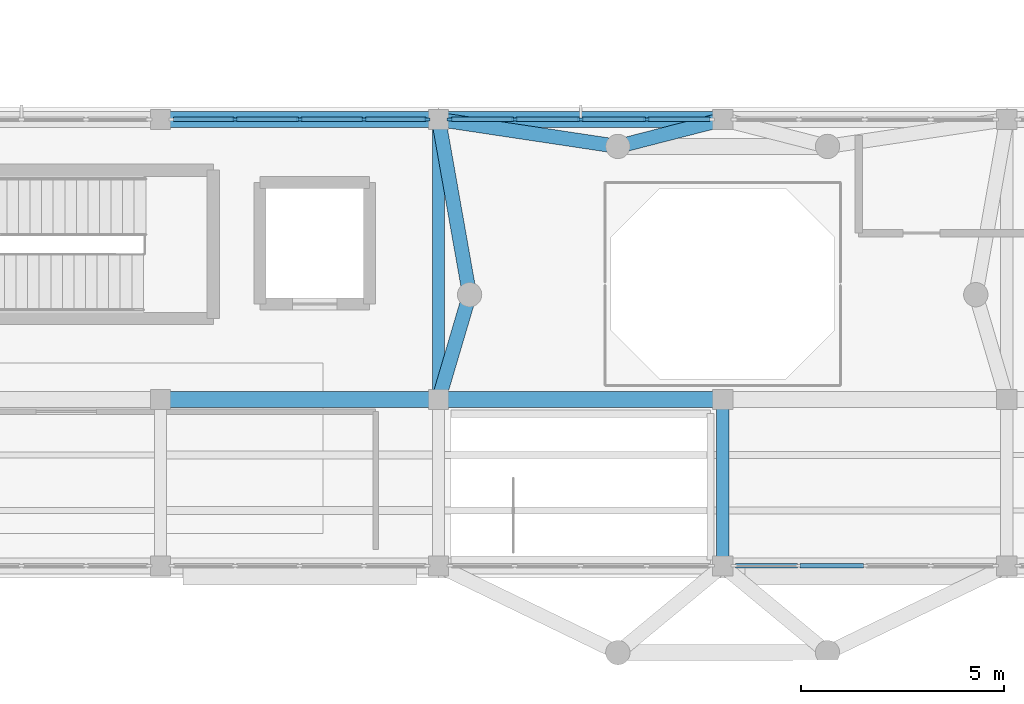
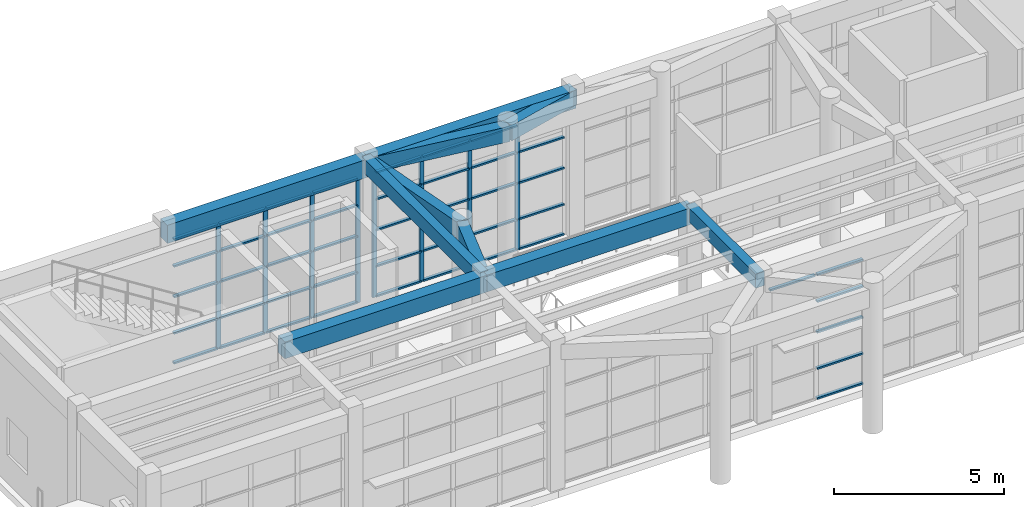
# One storey, part 17 of 103: 53 members, 10 beams, 3 elements without a shape of their own.
"""IFC4 building model written with IfcOpenShell, lengths in metres."""

from ifc_helpers import new_model, si_unit, direction, frame, origin, origin_2d, place, context, subcontext, project, spatial, rectangle, extrude, material, layer, layer_set, material_profile, profile_set, type_object, element, aggregate, save


model = new_model("IFC4")

# Units and contexts
model_context = context("Model", 3, precision=1e-05, world=origin(), true_north=direction((0.0, 1.0)))
body_context = subcontext(model_context, "Body", "Model", "MODEL_VIEW")
ifc_project = project(units=[si_unit("LENGTHUNIT", "METRE"), si_unit("AREAUNIT", "SQUARE_METRE"), si_unit("VOLUMEUNIT", "CUBIC_METRE"), si_unit("PLANEANGLEUNIT", "RADIAN"), si_unit("MASSUNIT", "GRAM", prefix="KILO")], contexts=[model_context])

# Site, building, storey
site_placement = place(None, origin())
site = spatial("IfcSite", under=ifc_project, at=site_placement, CompositionType="ELEMENT")
building_placement = place(site_placement, origin())
building = spatial("IfcBuilding", under=site, at=building_placement, Name="Candilejo Ridge Gondola Terminal", CompositionType="ELEMENT")
storey_placement = place(building_placement, frame((0.0, 0.0, 9.0)))
storey = spatial("IfcBuildingStorey", under=building, at=storey_placement, Name="L02", CompositionType="ELEMENT", Elevation=9.0)

# Curtain wall, members
ifc_material_1 = material(Name="Anodised aluminium AA 6063-T6", Category="aluminium")
ifc_layer_1 = layer(ifc_material_1, 0.169921875)
ifc_layer_set_1 = layer_set([ifc_layer_1], Name="ARC-CW-DRUM-3400-635X449")
curtain_wall_type_1 = type_object("IfcCurtainWallType", Name="ARC-CW-DRUM-3400-635X449", PredefinedType="NOTDEFINED", material=ifc_layer_set_1)
curtain_wall_1_placement = place(storey_placement, origin())
curtain_wall_1 = element("IfcCurtainWall", 1, at=curtain_wall_1_placement, inside=storey, type_object=curtain_wall_type_1, Name="Curtain wall V2 L02-048", PredefinedType="NOTDEFINED")
ifc_material_2 = material(Name="Anodised aluminium AA 6063-T6", Category="aluminium")
ifc_material_profile_1 = material_profile(ifc_material_2, rectangle(XDim=0.06494140625, YDim=0.14990234375, at=origin_2d()))
ifc_profile_set_1 = profile_set([ifc_material_profile_1], Name="Anodised aluminium AA 6063-T6")
member_type_1 = type_object("IfcMemberType", Name="ARC-CW-MULLION-150", PredefinedType="MULLION", material=ifc_profile_set_1)
member_1_placement = place(storey_placement, frame((53.33740234375, 36.699951171875, 0.0), z_axis=(0.0, 0.0, 1.0), x_axis=(0.0, 1.0, 0.0)))
member_1 = element("IfcMember", 2, at=member_1_placement, type_object=member_type_1, Name="CW-63X44 mullion 2", PredefinedType="MULLION", context=body_context, shape_type="SweptSolid", body=[
    extrude(rectangle(XDim=0.06494140625, YDim=0.14990234375, at=origin_2d()), origin(), (0.0, 0.0, 1.0), 4.489990234375),
])
member_2_placement = place(storey_placement, frame((54.925048828125, 36.699951171875, 0.0), z_axis=(0.0, 0.0, 1.0), x_axis=(0.0, 1.0, 0.0)))
member_2 = element("IfcMember", 3, at=member_2_placement, type_object=member_type_1, Name="CW-63X44 mullion 3", PredefinedType="MULLION", context=body_context, shape_type="SweptSolid", body=[
    extrude(rectangle(XDim=0.06494140625, YDim=0.14990234375, at=origin_2d()), origin(), (0.0, 0.0, 1.0), 4.489990234375),
])
member_3_placement = place(storey_placement, frame((56.512451171875, 36.699951171875, 0.0), z_axis=(0.0, 0.0, 1.0), x_axis=(0.0, 1.0, 0.0)))
member_3 = element("IfcMember", 4, at=member_3_placement, type_object=member_type_1, Name="CW-63X44 mullion 4", PredefinedType="MULLION", context=body_context, shape_type="SweptSolid", body=[
    extrude(rectangle(XDim=0.06494140625, YDim=0.14990234375, at=origin_2d()), origin(), (0.0, 0.0, 1.0), 4.489990234375),
])
member_4_placement = place(storey_placement, frame((58.0673828125, 36.699951171875, 0.0), z_axis=(0.0, 0.0, 1.0), x_axis=(0.0, 1.0, 0.0)))
member_4 = element("IfcMember", 5, at=member_4_placement, type_object=member_type_1, Name="CW-63X44 mullion 5", PredefinedType="MULLION", context=body_context, shape_type="SweptSolid", body=[
    extrude(rectangle(XDim=0.06494140625, YDim=0.14990234375, at=origin_2d()), origin(), (0.0, 0.0, 1.0), 4.489990234375),
])

ifc_material_3 = material(Name="Anodised aluminium AA 6063-T6", Category="aluminium")
ifc_layer_2 = layer(ifc_material_3, 0.169921875)
ifc_layer_set_2 = layer_set([ifc_layer_2], Name="ARC-CW-DRUM-3400-650X449")
curtain_wall_type_2 = type_object("IfcCurtainWallType", Name="ARC-CW-DRUM-3400-650X449", PredefinedType="NOTDEFINED", material=ifc_layer_set_2)
curtain_wall_2_placement = place(storey_placement, origin())
curtain_wall_2 = element("IfcCurtainWall", 6, at=curtain_wall_2_placement, inside=storey, type_object=curtain_wall_type_2, Name="Curtain wall V2 L02-050", PredefinedType="NOTDEFINED")
member_5_placement = place(storey_placement, frame((58.632568359375, 36.699951171875, 0.0), z_axis=(0.0, 0.0, 1.0), x_axis=(0.0, 1.0, 0.0)))
member_5 = element("IfcMember", 7, at=member_5_placement, type_object=member_type_1, Name="CW-65X44 mullion 1", PredefinedType="MULLION", context=body_context, shape_type="SweptSolid", body=[
    extrude(rectangle(XDim=0.06494140625, YDim=0.14990234375, at=origin_2d()), origin(), (0.0, 0.0, 1.0), 4.489990234375),
])
member_6_placement = place(storey_placement, frame((60.22509765625, 36.699951171875, 0.0), z_axis=(0.0, 0.0, 1.0), x_axis=(0.0, 1.0, 0.0)))
member_6 = element("IfcMember", 8, at=member_6_placement, type_object=member_type_1, Name="CW-65X44 mullion 2", PredefinedType="MULLION", context=body_context, shape_type="SweptSolid", body=[
    extrude(rectangle(XDim=0.06494140625, YDim=0.14990234375, at=origin_2d()), origin(), (0.0, 0.0, 1.0), 4.489990234375),
])
member_7_placement = place(storey_placement, frame((61.85009765625, 36.699951171875, 0.0), z_axis=(0.0, 0.0, 1.0), x_axis=(0.0, 1.0, 0.0)))
member_7 = element("IfcMember", 9, at=member_7_placement, type_object=member_type_1, Name="CW-65X44 mullion 3", PredefinedType="MULLION", context=body_context, shape_type="SweptSolid", body=[
    extrude(rectangle(XDim=0.06494140625, YDim=0.14990234375, at=origin_2d()), origin(), (0.0, 0.0, 1.0), 4.489990234375),
])
member_8_placement = place(storey_placement, frame((63.47509765625, 36.699951171875, 0.0), z_axis=(0.0, 0.0, 1.0), x_axis=(0.0, 1.0, 0.0)))
member_8 = element("IfcMember", 10, at=member_8_placement, type_object=member_type_1, Name="CW-65X44 mullion 4", PredefinedType="MULLION", context=body_context, shape_type="SweptSolid", body=[
    extrude(rectangle(XDim=0.06494140625, YDim=0.14990234375, at=origin_2d()), origin(), (0.0, 0.0, 1.0), 4.489990234375),
])

# Member
ifc_material_4 = material(Name="Anodised aluminium AA 6063-T6", Category="aluminium")
ifc_material_profile_2 = material_profile(ifc_material_4, rectangle(XDim=0.110107421875, YDim=0.06005859375, at=origin_2d()))
ifc_profile_set_2 = profile_set([ifc_material_profile_2], Name="Anodised aluminium AA 6063-T6")
member_type_2 = type_object("IfcMemberType", Name="ARC-CW-TRANSOM-110", PredefinedType="USERDEFINED", material=ifc_profile_set_2)
member_9_placement = place(storey_placement, frame((51.81494140625, 36.699951171875, 0.030029296875), z_axis=(1.0, 0.0, 0.0), x_axis=(0.0, 1.0, 0.0)))
member_9 = element("IfcMember", 11, at=member_9_placement, type_object=member_type_2, Name="CW-63X44 transom 1.1", ObjectType="TRANSOM", PredefinedType="USERDEFINED", context=body_context, shape_type="SweptSolid", body=[
    extrude(rectangle(XDim=0.110107421875, YDim=0.06005859375, at=origin_2d()), origin(), (0.0, 0.0, 1.0), 1.489990234375),
])

member_10_placement = place(storey_placement, frame((51.81494140625, 36.699951171875, 1.10009765625), z_axis=(1.0, 0.0, 0.0), x_axis=(0.0, 1.0, 0.0)))
member_10 = element("IfcMember", 12, at=member_10_placement, type_object=member_type_2, Name="CW-63X44 transom 1.2", ObjectType="TRANSOM", PredefinedType="USERDEFINED", context=body_context, shape_type="SweptSolid", body=[
    extrude(rectangle(XDim=0.110107421875, YDim=0.06005859375, at=origin_2d()), origin(), (0.0, 0.0, 1.0), 1.489990234375),
])

member_11_placement = place(storey_placement, frame((51.81494140625, 36.699951171875, 2.39990234375), z_axis=(1.0, 0.0, 0.0), x_axis=(0.0, 1.0, 0.0)))
member_11 = element("IfcMember", 13, at=member_11_placement, type_object=member_type_2, Name="CW-63X44 transom 1.3", ObjectType="TRANSOM", PredefinedType="USERDEFINED", context=body_context, shape_type="SweptSolid", body=[
    extrude(rectangle(XDim=0.110107421875, YDim=0.06005859375, at=origin_2d()), origin(), (0.0, 0.0, 1.0), 1.489990234375),
])

member_12_placement = place(storey_placement, frame((51.81494140625, 36.699951171875, 3.5), z_axis=(1.0, 0.0, 0.0), x_axis=(0.0, 1.0, 0.0)))
member_12 = element("IfcMember", 14, at=member_12_placement, type_object=member_type_2, Name="CW-63X44 transom 1.4", ObjectType="TRANSOM", PredefinedType="USERDEFINED", context=body_context, shape_type="SweptSolid", body=[
    extrude(rectangle(XDim=0.110107421875, YDim=0.06005859375, at=origin_2d()), origin(), (0.0, 0.0, 1.0), 1.489990234375),
])

member_13_placement = place(storey_placement, frame((51.81494140625, 36.699951171875, 4.4599609375), z_axis=(1.0, 0.0, 0.0), x_axis=(0.0, 1.0, 0.0)))
member_13 = element("IfcMember", 15, at=member_13_placement, type_object=member_type_2, Name="CW-63X44 transom 1.5", ObjectType="TRANSOM", PredefinedType="USERDEFINED", context=body_context, shape_type="SweptSolid", body=[
    extrude(rectangle(XDim=0.110107421875, YDim=0.06005859375, at=origin_2d()), origin(), (0.0, 0.0, 1.0), 1.489990234375),
])

member_14_placement = place(storey_placement, frame((53.3701171875, 36.699951171875, 0.030029296875), z_axis=(1.0, 0.0, 0.0), x_axis=(0.0, 1.0, 0.0)))
member_14 = element("IfcMember", 16, at=member_14_placement, type_object=member_type_2, Name="CW-63X44 transom 2.1", ObjectType="TRANSOM", PredefinedType="USERDEFINED", context=body_context, shape_type="SweptSolid", body=[
    extrude(rectangle(XDim=0.110107421875, YDim=0.06005859375, at=origin_2d()), origin(), (0.0, 0.0, 1.0), 1.5224609375),
])

member_15_placement = place(storey_placement, frame((53.3701171875, 36.699951171875, 1.10009765625), z_axis=(1.0, 0.0, 0.0), x_axis=(0.0, 1.0, 0.0)))
member_15 = element("IfcMember", 17, at=member_15_placement, type_object=member_type_2, Name="CW-63X44 transom 2.2", ObjectType="TRANSOM", PredefinedType="USERDEFINED", context=body_context, shape_type="SweptSolid", body=[
    extrude(rectangle(XDim=0.110107421875, YDim=0.06005859375, at=origin_2d()), origin(), (0.0, 0.0, 1.0), 1.5224609375),
])

member_16_placement = place(storey_placement, frame((53.3701171875, 36.699951171875, 2.39990234375), z_axis=(1.0, 0.0, 0.0), x_axis=(0.0, 1.0, 0.0)))
member_16 = element("IfcMember", 18, at=member_16_placement, type_object=member_type_2, Name="CW-63X44 transom 2.3", ObjectType="TRANSOM", PredefinedType="USERDEFINED", context=body_context, shape_type="SweptSolid", body=[
    extrude(rectangle(XDim=0.110107421875, YDim=0.06005859375, at=origin_2d()), origin(), (0.0, 0.0, 1.0), 1.5224609375),
])

member_17_placement = place(storey_placement, frame((53.3701171875, 36.699951171875, 3.5), z_axis=(1.0, 0.0, 0.0), x_axis=(0.0, 1.0, 0.0)))
member_17 = element("IfcMember", 19, at=member_17_placement, type_object=member_type_2, Name="CW-63X44 transom 2.4", ObjectType="TRANSOM", PredefinedType="USERDEFINED", context=body_context, shape_type="SweptSolid", body=[
    extrude(rectangle(XDim=0.110107421875, YDim=0.06005859375, at=origin_2d()), origin(), (0.0, 0.0, 1.0), 1.5224609375),
])

member_18_placement = place(storey_placement, frame((53.3701171875, 36.699951171875, 4.4599609375), z_axis=(1.0, 0.0, 0.0), x_axis=(0.0, 1.0, 0.0)))
member_18 = element("IfcMember", 20, at=member_18_placement, type_object=member_type_2, Name="CW-63X44 transom 2.5", ObjectType="TRANSOM", PredefinedType="USERDEFINED", context=body_context, shape_type="SweptSolid", body=[
    extrude(rectangle(XDim=0.110107421875, YDim=0.06005859375, at=origin_2d()), origin(), (0.0, 0.0, 1.0), 1.5224609375),
])

member_19_placement = place(storey_placement, frame((54.95751953125, 36.699951171875, 0.030029296875), z_axis=(1.0, 0.0, 0.0), x_axis=(0.0, 1.0, 0.0)))
member_19 = element("IfcMember", 21, at=member_19_placement, type_object=member_type_2, Name="CW-63X44 transom 3.1", ObjectType="TRANSOM", PredefinedType="USERDEFINED", context=body_context, shape_type="SweptSolid", body=[
    extrude(rectangle(XDim=0.110107421875, YDim=0.06005859375, at=origin_2d()), origin(), (0.0, 0.0, 1.0), 1.5224609375),
])

member_20_placement = place(storey_placement, frame((54.95751953125, 36.699951171875, 1.10009765625), z_axis=(1.0, 0.0, 0.0), x_axis=(0.0, 1.0, 0.0)))
member_20 = element("IfcMember", 22, at=member_20_placement, type_object=member_type_2, Name="CW-63X44 transom 3.2", ObjectType="TRANSOM", PredefinedType="USERDEFINED", context=body_context, shape_type="SweptSolid", body=[
    extrude(rectangle(XDim=0.110107421875, YDim=0.06005859375, at=origin_2d()), origin(), (0.0, 0.0, 1.0), 1.5224609375),
])

member_21_placement = place(storey_placement, frame((54.95751953125, 36.699951171875, 2.39990234375), z_axis=(1.0, 0.0, 0.0), x_axis=(0.0, 1.0, 0.0)))
member_21 = element("IfcMember", 23, at=member_21_placement, type_object=member_type_2, Name="CW-63X44 transom 3.3", ObjectType="TRANSOM", PredefinedType="USERDEFINED", context=body_context, shape_type="SweptSolid", body=[
    extrude(rectangle(XDim=0.110107421875, YDim=0.06005859375, at=origin_2d()), origin(), (0.0, 0.0, 1.0), 1.5224609375),
])

member_22_placement = place(storey_placement, frame((54.95751953125, 36.699951171875, 3.5), z_axis=(1.0, 0.0, 0.0), x_axis=(0.0, 1.0, 0.0)))
member_22 = element("IfcMember", 24, at=member_22_placement, type_object=member_type_2, Name="CW-63X44 transom 3.4", ObjectType="TRANSOM", PredefinedType="USERDEFINED", context=body_context, shape_type="SweptSolid", body=[
    extrude(rectangle(XDim=0.110107421875, YDim=0.06005859375, at=origin_2d()), origin(), (0.0, 0.0, 1.0), 1.5224609375),
])

member_23_placement = place(storey_placement, frame((54.95751953125, 36.699951171875, 4.4599609375), z_axis=(1.0, 0.0, 0.0), x_axis=(0.0, 1.0, 0.0)))
member_23 = element("IfcMember", 25, at=member_23_placement, type_object=member_type_2, Name="CW-63X44 transom 3.5", ObjectType="TRANSOM", PredefinedType="USERDEFINED", context=body_context, shape_type="SweptSolid", body=[
    extrude(rectangle(XDim=0.110107421875, YDim=0.06005859375, at=origin_2d()), origin(), (0.0, 0.0, 1.0), 1.5224609375),
])

member_24_placement = place(storey_placement, frame((56.544921875, 36.699951171875, 0.030029296875), z_axis=(1.0, 0.0, 0.0), x_axis=(0.0, 1.0, 0.0)))
member_24 = element("IfcMember", 26, at=member_24_placement, type_object=member_type_2, Name="CW-63X44 transom 4.1", ObjectType="TRANSOM", PredefinedType="USERDEFINED", context=body_context, shape_type="SweptSolid", body=[
    extrude(rectangle(XDim=0.110107421875, YDim=0.06005859375, at=origin_2d()), origin(), (0.0, 0.0, 1.0), 1.489990234375),
])

member_25_placement = place(storey_placement, frame((56.544921875, 36.699951171875, 1.10009765625), z_axis=(1.0, 0.0, 0.0), x_axis=(0.0, 1.0, 0.0)))
member_25 = element("IfcMember", 27, at=member_25_placement, type_object=member_type_2, Name="CW-63X44 transom 4.2", ObjectType="TRANSOM", PredefinedType="USERDEFINED", context=body_context, shape_type="SweptSolid", body=[
    extrude(rectangle(XDim=0.110107421875, YDim=0.06005859375, at=origin_2d()), origin(), (0.0, 0.0, 1.0), 1.489990234375),
])

member_26_placement = place(storey_placement, frame((56.544921875, 36.699951171875, 2.39990234375), z_axis=(1.0, 0.0, 0.0), x_axis=(0.0, 1.0, 0.0)))
member_26 = element("IfcMember", 28, at=member_26_placement, type_object=member_type_2, Name="CW-63X44 transom 4.3", ObjectType="TRANSOM", PredefinedType="USERDEFINED", context=body_context, shape_type="SweptSolid", body=[
    extrude(rectangle(XDim=0.110107421875, YDim=0.06005859375, at=origin_2d()), origin(), (0.0, 0.0, 1.0), 1.489990234375),
])

member_27_placement = place(storey_placement, frame((56.544921875, 36.699951171875, 3.5), z_axis=(1.0, 0.0, 0.0), x_axis=(0.0, 1.0, 0.0)))
member_27 = element("IfcMember", 29, at=member_27_placement, type_object=member_type_2, Name="CW-63X44 transom 4.4", ObjectType="TRANSOM", PredefinedType="USERDEFINED", context=body_context, shape_type="SweptSolid", body=[
    extrude(rectangle(XDim=0.110107421875, YDim=0.06005859375, at=origin_2d()), origin(), (0.0, 0.0, 1.0), 1.489990234375),
])

member_28_placement = place(storey_placement, frame((56.544921875, 36.699951171875, 4.4599609375), z_axis=(1.0, 0.0, 0.0), x_axis=(0.0, 1.0, 0.0)))
member_28 = element("IfcMember", 30, at=member_28_placement, type_object=member_type_2, Name="CW-63X44 transom 4.5", ObjectType="TRANSOM", PredefinedType="USERDEFINED", context=body_context, shape_type="SweptSolid", body=[
    extrude(rectangle(XDim=0.110107421875, YDim=0.06005859375, at=origin_2d()), origin(), (0.0, 0.0, 1.0), 1.489990234375),
])

aggregate(curtain_wall_1, [member_1, member_2, member_3, member_4, member_9, member_10, member_11, member_12, member_13, member_14, member_15, member_16, member_17, member_18, member_19, member_20, member_21, member_22, member_23, member_24, member_25, member_26, member_27, member_28])

member_29_placement = place(storey_placement, frame((58.6650390625, 36.699951171875, 0.030029296875), z_axis=(1.0, 0.0, 0.0), x_axis=(0.0, 1.0, 0.0)))
member_29 = element("IfcMember", 31, at=member_29_placement, type_object=member_type_2, Name="CW-65X44 transom 1.1", ObjectType="TRANSOM", PredefinedType="USERDEFINED", context=body_context, shape_type="SweptSolid", body=[
    extrude(rectangle(XDim=0.110107421875, YDim=0.06005859375, at=origin_2d()), origin(), (0.0, 0.0, 1.0), 1.52734375),
])

member_30_placement = place(storey_placement, frame((58.6650390625, 36.699951171875, 1.10009765625), z_axis=(1.0, 0.0, 0.0), x_axis=(0.0, 1.0, 0.0)))
member_30 = element("IfcMember", 32, at=member_30_placement, type_object=member_type_2, Name="CW-65X44 transom 1.2", ObjectType="TRANSOM", PredefinedType="USERDEFINED", context=body_context, shape_type="SweptSolid", body=[
    extrude(rectangle(XDim=0.110107421875, YDim=0.06005859375, at=origin_2d()), origin(), (0.0, 0.0, 1.0), 1.52734375),
])

member_31_placement = place(storey_placement, frame((58.6650390625, 36.699951171875, 2.39990234375), z_axis=(1.0, 0.0, 0.0), x_axis=(0.0, 1.0, 0.0)))
member_31 = element("IfcMember", 33, at=member_31_placement, type_object=member_type_2, Name="CW-65X44 transom 1.3", ObjectType="TRANSOM", PredefinedType="USERDEFINED", context=body_context, shape_type="SweptSolid", body=[
    extrude(rectangle(XDim=0.110107421875, YDim=0.06005859375, at=origin_2d()), origin(), (0.0, 0.0, 1.0), 1.52734375),
])

member_32_placement = place(storey_placement, frame((58.6650390625, 36.699951171875, 3.5), z_axis=(1.0, 0.0, 0.0), x_axis=(0.0, 1.0, 0.0)))
member_32 = element("IfcMember", 34, at=member_32_placement, type_object=member_type_2, Name="CW-65X44 transom 1.4", ObjectType="TRANSOM", PredefinedType="USERDEFINED", context=body_context, shape_type="SweptSolid", body=[
    extrude(rectangle(XDim=0.110107421875, YDim=0.06005859375, at=origin_2d()), origin(), (0.0, 0.0, 1.0), 1.52734375),
])

member_33_placement = place(storey_placement, frame((58.6650390625, 36.699951171875, 4.4599609375), z_axis=(1.0, 0.0, 0.0), x_axis=(0.0, 1.0, 0.0)))
member_33 = element("IfcMember", 35, at=member_33_placement, type_object=member_type_2, Name="CW-65X44 transom 1.5", ObjectType="TRANSOM", PredefinedType="USERDEFINED", context=body_context, shape_type="SweptSolid", body=[
    extrude(rectangle(XDim=0.110107421875, YDim=0.06005859375, at=origin_2d()), origin(), (0.0, 0.0, 1.0), 1.52734375),
])

member_34_placement = place(storey_placement, frame((60.257568359375, 36.699951171875, 0.030029296875), z_axis=(1.0, 0.0, 0.0), x_axis=(0.0, 1.0, 0.0)))
member_34 = element("IfcMember", 36, at=member_34_placement, type_object=member_type_2, Name="CW-65X44 transom 2.1", ObjectType="TRANSOM", PredefinedType="USERDEFINED", context=body_context, shape_type="SweptSolid", body=[
    extrude(rectangle(XDim=0.110107421875, YDim=0.06005859375, at=origin_2d()), origin(), (0.0, 0.0, 1.0), 1.559814453125),
])

member_35_placement = place(storey_placement, frame((60.257568359375, 36.699951171875, 1.10009765625), z_axis=(1.0, 0.0, 0.0), x_axis=(0.0, 1.0, 0.0)))
member_35 = element("IfcMember", 37, at=member_35_placement, type_object=member_type_2, Name="CW-65X44 transom 2.2", ObjectType="TRANSOM", PredefinedType="USERDEFINED", context=body_context, shape_type="SweptSolid", body=[
    extrude(rectangle(XDim=0.110107421875, YDim=0.06005859375, at=origin_2d()), origin(), (0.0, 0.0, 1.0), 1.559814453125),
])

member_36_placement = place(storey_placement, frame((60.257568359375, 36.699951171875, 2.39990234375), z_axis=(1.0, 0.0, 0.0), x_axis=(0.0, 1.0, 0.0)))
member_36 = element("IfcMember", 38, at=member_36_placement, type_object=member_type_2, Name="CW-65X44 transom 2.3", ObjectType="TRANSOM", PredefinedType="USERDEFINED", context=body_context, shape_type="SweptSolid", body=[
    extrude(rectangle(XDim=0.110107421875, YDim=0.06005859375, at=origin_2d()), origin(), (0.0, 0.0, 1.0), 1.559814453125),
])

member_37_placement = place(storey_placement, frame((60.257568359375, 36.699951171875, 3.5), z_axis=(1.0, 0.0, 0.0), x_axis=(0.0, 1.0, 0.0)))
member_37 = element("IfcMember", 39, at=member_37_placement, type_object=member_type_2, Name="CW-65X44 transom 2.4", ObjectType="TRANSOM", PredefinedType="USERDEFINED", context=body_context, shape_type="SweptSolid", body=[
    extrude(rectangle(XDim=0.110107421875, YDim=0.06005859375, at=origin_2d()), origin(), (0.0, 0.0, 1.0), 1.559814453125),
])

member_38_placement = place(storey_placement, frame((60.257568359375, 36.699951171875, 4.4599609375), z_axis=(1.0, 0.0, 0.0), x_axis=(0.0, 1.0, 0.0)))
member_38 = element("IfcMember", 40, at=member_38_placement, type_object=member_type_2, Name="CW-65X44 transom 2.5", ObjectType="TRANSOM", PredefinedType="USERDEFINED", context=body_context, shape_type="SweptSolid", body=[
    extrude(rectangle(XDim=0.110107421875, YDim=0.06005859375, at=origin_2d()), origin(), (0.0, 0.0, 1.0), 1.559814453125),
])

member_39_placement = place(storey_placement, frame((61.882568359375, 36.699951171875, 0.030029296875), z_axis=(1.0, 0.0, 0.0), x_axis=(0.0, 1.0, 0.0)))
member_39 = element("IfcMember", 41, at=member_39_placement, type_object=member_type_2, Name="CW-65X44 transom 3.1", ObjectType="TRANSOM", PredefinedType="USERDEFINED", context=body_context, shape_type="SweptSolid", body=[
    extrude(rectangle(XDim=0.110107421875, YDim=0.06005859375, at=origin_2d()), origin(), (0.0, 0.0, 1.0), 1.559814453125),
])

member_40_placement = place(storey_placement, frame((61.882568359375, 36.699951171875, 1.10009765625), z_axis=(1.0, 0.0, 0.0), x_axis=(0.0, 1.0, 0.0)))
member_40 = element("IfcMember", 42, at=member_40_placement, type_object=member_type_2, Name="CW-65X44 transom 3.2", ObjectType="TRANSOM", PredefinedType="USERDEFINED", context=body_context, shape_type="SweptSolid", body=[
    extrude(rectangle(XDim=0.110107421875, YDim=0.06005859375, at=origin_2d()), origin(), (0.0, 0.0, 1.0), 1.559814453125),
])

member_41_placement = place(storey_placement, frame((61.882568359375, 36.699951171875, 2.39990234375), z_axis=(1.0, 0.0, 0.0), x_axis=(0.0, 1.0, 0.0)))
member_41 = element("IfcMember", 43, at=member_41_placement, type_object=member_type_2, Name="CW-65X44 transom 3.3", ObjectType="TRANSOM", PredefinedType="USERDEFINED", context=body_context, shape_type="SweptSolid", body=[
    extrude(rectangle(XDim=0.110107421875, YDim=0.06005859375, at=origin_2d()), origin(), (0.0, 0.0, 1.0), 1.559814453125),
])

member_42_placement = place(storey_placement, frame((61.882568359375, 36.699951171875, 3.5), z_axis=(1.0, 0.0, 0.0), x_axis=(0.0, 1.0, 0.0)))
member_42 = element("IfcMember", 44, at=member_42_placement, type_object=member_type_2, Name="CW-65X44 transom 3.4", ObjectType="TRANSOM", PredefinedType="USERDEFINED", context=body_context, shape_type="SweptSolid", body=[
    extrude(rectangle(XDim=0.110107421875, YDim=0.06005859375, at=origin_2d()), origin(), (0.0, 0.0, 1.0), 1.559814453125),
])

member_43_placement = place(storey_placement, frame((61.882568359375, 36.699951171875, 4.4599609375), z_axis=(1.0, 0.0, 0.0), x_axis=(0.0, 1.0, 0.0)))
member_43 = element("IfcMember", 45, at=member_43_placement, type_object=member_type_2, Name="CW-65X44 transom 3.5", ObjectType="TRANSOM", PredefinedType="USERDEFINED", context=body_context, shape_type="SweptSolid", body=[
    extrude(rectangle(XDim=0.110107421875, YDim=0.06005859375, at=origin_2d()), origin(), (0.0, 0.0, 1.0), 1.559814453125),
])

member_44_placement = place(storey_placement, frame((63.507568359375, 36.699951171875, 0.030029296875), z_axis=(1.0, 0.0, 0.0), x_axis=(0.0, 1.0, 0.0)))
member_44 = element("IfcMember", 46, at=member_44_placement, type_object=member_type_2, Name="CW-65X44 transom 4.1", ObjectType="TRANSOM", PredefinedType="USERDEFINED", context=body_context, shape_type="SweptSolid", body=[
    extrude(rectangle(XDim=0.110107421875, YDim=0.06005859375, at=origin_2d()), origin(), (0.0, 0.0, 1.0), 1.52734375),
])

member_45_placement = place(storey_placement, frame((63.507568359375, 36.699951171875, 1.10009765625), z_axis=(1.0, 0.0, 0.0), x_axis=(0.0, 1.0, 0.0)))
member_45 = element("IfcMember", 47, at=member_45_placement, type_object=member_type_2, Name="CW-65X44 transom 4.2", ObjectType="TRANSOM", PredefinedType="USERDEFINED", context=body_context, shape_type="SweptSolid", body=[
    extrude(rectangle(XDim=0.110107421875, YDim=0.06005859375, at=origin_2d()), origin(), (0.0, 0.0, 1.0), 1.52734375),
])

member_46_placement = place(storey_placement, frame((63.507568359375, 36.699951171875, 2.39990234375), z_axis=(1.0, 0.0, 0.0), x_axis=(0.0, 1.0, 0.0)))
member_46 = element("IfcMember", 48, at=member_46_placement, type_object=member_type_2, Name="CW-65X44 transom 4.3", ObjectType="TRANSOM", PredefinedType="USERDEFINED", context=body_context, shape_type="SweptSolid", body=[
    extrude(rectangle(XDim=0.110107421875, YDim=0.06005859375, at=origin_2d()), origin(), (0.0, 0.0, 1.0), 1.52734375),
])

member_47_placement = place(storey_placement, frame((63.507568359375, 36.699951171875, 3.5), z_axis=(1.0, 0.0, 0.0), x_axis=(0.0, 1.0, 0.0)))
member_47 = element("IfcMember", 49, at=member_47_placement, type_object=member_type_2, Name="CW-65X44 transom 4.4", ObjectType="TRANSOM", PredefinedType="USERDEFINED", context=body_context, shape_type="SweptSolid", body=[
    extrude(rectangle(XDim=0.110107421875, YDim=0.06005859375, at=origin_2d()), origin(), (0.0, 0.0, 1.0), 1.52734375),
])

aggregate(curtain_wall_2, [member_5, member_6, member_7, member_8, member_29, member_30, member_31, member_32, member_33, member_34, member_35, member_36, member_37, member_38, member_39, member_40, member_41, member_42, member_43, member_44, member_45, member_46, member_47])

# Curtain wall, members
curtain_wall_3_placement = place(storey_placement, origin())
curtain_wall_3 = element("IfcCurtainWall", 50, at=curtain_wall_3_placement, inside=storey, type_object=curtain_wall_type_2, Name="Curtain wall V2 L02-053", PredefinedType="NOTDEFINED")
member_48_placement = place(storey_placement, frame((65.6650390625, 25.699951171875, 4.4599609375), z_axis=(1.0, 0.0, 0.0), x_axis=(0.0, 1.0, 0.0)))
member_48 = element("IfcMember", 51, at=member_48_placement, type_object=member_type_2, Name="CW-65X44 transom 1.5", ObjectType="TRANSOM", PredefinedType="USERDEFINED", context=body_context, shape_type="SweptSolid", body=[
    extrude(rectangle(XDim=0.110107421875, YDim=0.06005859375, at=origin_2d()), origin(), (0.0, 0.0, 1.0), 1.52734375),
])
member_49_placement = place(storey_placement, frame((67.257568359375, 25.699951171875, 0.030029296875), z_axis=(1.0, 0.0, 0.0), x_axis=(0.0, 1.0, 0.0)))
member_49 = element("IfcMember", 52, at=member_49_placement, type_object=member_type_2, Name="CW-65X44 transom 2.1", ObjectType="TRANSOM", PredefinedType="USERDEFINED", context=body_context, shape_type="SweptSolid", body=[
    extrude(rectangle(XDim=0.110107421875, YDim=0.06005859375, at=origin_2d()), origin(), (0.0, 0.0, 1.0), 1.559814453125),
])
member_50_placement = place(storey_placement, frame((67.257568359375, 25.699951171875, 1.10009765625), z_axis=(1.0, 0.0, 0.0), x_axis=(0.0, 1.0, 0.0)))
member_50 = element("IfcMember", 53, at=member_50_placement, type_object=member_type_2, Name="CW-65X44 transom 2.2", ObjectType="TRANSOM", PredefinedType="USERDEFINED", context=body_context, shape_type="SweptSolid", body=[
    extrude(rectangle(XDim=0.110107421875, YDim=0.06005859375, at=origin_2d()), origin(), (0.0, 0.0, 1.0), 1.559814453125),
])
member_51_placement = place(storey_placement, frame((67.257568359375, 25.699951171875, 2.39990234375), z_axis=(1.0, 0.0, 0.0), x_axis=(0.0, 1.0, 0.0)))
member_51 = element("IfcMember", 54, at=member_51_placement, type_object=member_type_2, Name="CW-65X44 transom 2.3", ObjectType="TRANSOM", PredefinedType="USERDEFINED", context=body_context, shape_type="SweptSolid", body=[
    extrude(rectangle(XDim=0.110107421875, YDim=0.06005859375, at=origin_2d()), origin(), (0.0, 0.0, 1.0), 1.559814453125),
])
member_52_placement = place(storey_placement, frame((67.257568359375, 25.699951171875, 3.5), z_axis=(1.0, 0.0, 0.0), x_axis=(0.0, 1.0, 0.0)))
member_52 = element("IfcMember", 55, at=member_52_placement, type_object=member_type_2, Name="CW-65X44 transom 2.4", ObjectType="TRANSOM", PredefinedType="USERDEFINED", context=body_context, shape_type="SweptSolid", body=[
    extrude(rectangle(XDim=0.110107421875, YDim=0.06005859375, at=origin_2d()), origin(), (0.0, 0.0, 1.0), 1.559814453125),
])
member_53_placement = place(storey_placement, frame((67.257568359375, 25.699951171875, 4.4599609375), z_axis=(1.0, 0.0, 0.0), x_axis=(0.0, 1.0, 0.0)))
member_53 = element("IfcMember", 56, at=member_53_placement, type_object=member_type_2, Name="CW-65X44 transom 2.5", ObjectType="TRANSOM", PredefinedType="USERDEFINED", context=body_context, shape_type="SweptSolid", body=[
    extrude(rectangle(XDim=0.110107421875, YDim=0.06005859375, at=origin_2d()), origin(), (0.0, 0.0, 1.0), 1.559814453125),
])
aggregate(curtain_wall_3, [member_48, member_49, member_50, member_51, member_52, member_53])

# Beams
ifc_material_5 = material(Name="Concrete f'c 35 MPa (C35/45)", Category="concrete")
ifc_material_profile_3 = material_profile(ifc_material_5, rectangle(XDim=0.300048828125, YDim=0.5, at=origin_2d()))
ifc_profile_set_3 = profile_set([ifc_material_profile_3], Name="Concrete f'c 35 MPa (C35/45)")
beam_type_1 = type_object("IfcBeamType", Name="STR-BM-RC300X500", PredefinedType="BEAM", material=ifc_profile_set_3)
beam_1_placement = place(storey_placement, frame((58.35009765625, 29.800048828125, 4.925048828125), z_axis=(0.0, 1.0, 0.0), x_axis=(-1.0, 0.0, 0.0)))
element("IfcBeam", 57, at=beam_1_placement, inside=storey, type_object=beam_type_1, Name="Beam Y V2 L02 Y06-Y07@X09", PredefinedType="BEAM", context=body_context, shape_type="SweptSolid", body=[
    extrude(rectangle(XDim=0.300048828125, YDim=0.5, at=origin_2d()), origin(), (0.0, 0.0, 1.0), 6.89990234375),
])
beam_2_placement = place(storey_placement, frame((65.35009765625, 25.699951171875, 4.925048828125), z_axis=(0.0, 1.0, 0.0), x_axis=(-1.0, 0.0, 0.0)))
element("IfcBeam", 58, at=beam_2_placement, inside=storey, type_object=beam_type_1, Name="Beam Y V2 L02 Y05-Y06@X10", PredefinedType="BEAM", context=body_context, shape_type="SweptSolid", body=[
    extrude(rectangle(XDim=0.300048828125, YDim=0.5, at=origin_2d()), origin(), (0.0, 0.0, 1.0), 4.10009765625),
])
ifc_material_6 = material(Name="Concrete f'c 35 MPa (C35/45)", Category="concrete")
ifc_material_profile_4 = material_profile(ifc_material_6, rectangle(XDim=0.35009765625, YDim=0.550048828125, at=origin_2d()))
ifc_profile_set_4 = profile_set([ifc_material_profile_4], Name="Concrete f'c 35 MPa (C35/45)")
beam_type_2 = type_object("IfcBeamType", Name="STR-BM-RC350X550", PredefinedType="BEAM", material=ifc_profile_set_4)
beam_3_placement = place(storey_placement, frame((62.766845703125, 36.0361328125, 4.89990234375), z_axis=(0.968533290652, 0.248884039059, 0.0), x_axis=(-0.248884039059, 0.968533290652, 0.0)))
element("IfcBeam", 59, at=beam_3_placement, inside=storey, type_object=beam_type_2, Name="Rotunda radial tie beam L02 ROT3", PredefinedType="BEAM", context=body_context, shape_type="SweptSolid", body=[
    extrude(rectangle(XDim=0.35009765625, YDim=0.550048828125, at=origin_2d()), origin(), (0.0, 0.0, 1.0), 2.667236328125),
])
beam_4_placement = place(storey_placement, frame((62.766845703125, 36.0361328125, 4.89990234375), z_axis=(-0.98889341039, 0.148626454196, 0.0), x_axis=(-0.148626454196, -0.98889341039, 0.0)))
element("IfcBeam", 60, at=beam_4_placement, inside=storey, type_object=beam_type_2, Name="Rotunda radial tie beam L02 ROT3", PredefinedType="BEAM", context=body_context, shape_type="SweptSolid", body=[
    extrude(rectangle(XDim=0.35009765625, YDim=0.550048828125, at=origin_2d()), origin(), (0.0, 0.0, 1.0), 4.46630859375),
])
beam_5_placement = place(storey_placement, frame((59.11376953125, 32.383056640625, 4.89990234375), z_axis=(-0.283520439807, -0.958966193466, 0.0), x_axis=(0.958966193466, -0.283520439807, 0.0)))
element("IfcBeam", 61, at=beam_5_placement, inside=storey, type_object=beam_type_2, Name="Rotunda radial tie beam L02 ROT4", PredefinedType="BEAM", context=body_context, shape_type="SweptSolid", body=[
    extrude(rectangle(XDim=0.35009765625, YDim=0.550048828125, at=origin_2d()), origin(), (0.0, 0.0, 1.0), 2.693603515625),
])
beam_6_placement = place(storey_placement, frame((59.11376953125, 32.383056640625, 4.89990234375), z_axis=(-0.17419832165, 0.984710589328, 0.0), x_axis=(-0.984710589328, -0.17419832165, 0.0)))
element("IfcBeam", 62, at=beam_6_placement, inside=storey, type_object=beam_type_2, Name="Rotunda radial tie beam L02 ROT4", PredefinedType="BEAM", context=body_context, shape_type="SweptSolid", body=[
    extrude(rectangle(XDim=0.35009765625, YDim=0.550048828125, at=origin_2d()), origin(), (0.0, 0.0, 1.0), 4.384033203125),
])
ifc_material_7 = material(Name="Concrete f'c 35 MPa (C35/45)", Category="concrete")
ifc_material_profile_5 = material_profile(ifc_material_7, rectangle(XDim=0.39990234375, YDim=0.60009765625, at=origin_2d()))
ifc_profile_set_5 = profile_set([ifc_material_profile_5], Name="Concrete f'c 35 MPa (C35/45)")
beam_type_3 = type_object("IfcBeamType", Name="STR-BM-RC400X600", PredefinedType="BEAM", material=ifc_profile_set_5)
beam_7_placement = place(storey_placement, frame((51.5, 29.800048828125, 4.875), z_axis=(1.0, 0.0, 0.0), x_axis=(0.0, 1.0, 0.0)))
element("IfcBeam", 63, at=beam_7_placement, inside=storey, type_object=beam_type_3, Name="Beam X V2 L02 X08-X09@Y06", PredefinedType="BEAM", context=body_context, shape_type="SweptSolid", body=[
    extrude(rectangle(XDim=0.39990234375, YDim=0.60009765625, at=origin_2d()), origin(), (0.0, 0.0, 1.0), 6.85009765625),
])
beam_8_placement = place(storey_placement, frame((58.35009765625, 29.800048828125, 4.875), z_axis=(1.0, 0.0, 0.0), x_axis=(0.0, 1.0, 0.0)))
element("IfcBeam", 64, at=beam_8_placement, inside=storey, type_object=beam_type_3, Name="Beam X V2 L02 X09-X10@Y06", PredefinedType="BEAM", context=body_context, shape_type="SweptSolid", body=[
    extrude(rectangle(XDim=0.39990234375, YDim=0.60009765625, at=origin_2d()), origin(), (0.0, 0.0, 1.0), 7.0),
])
ifc_material_8 = material(Name="Concrete f'c 35 MPa (C35/45)", Category="concrete")
ifc_material_profile_6 = material_profile(ifc_material_8, rectangle(XDim=0.39990234375, YDim=0.64990234375, at=origin_2d()))
ifc_profile_set_6 = profile_set([ifc_material_profile_6], Name="Concrete f'c 35 MPa (C35/45)")
beam_type_4 = type_object("IfcBeamType", Name="STR-SPN-RC400X650", PredefinedType="SPANDREL", material=ifc_profile_set_6)
beam_9_placement = place(storey_placement, frame((51.5, 36.699951171875, 4.85009765625), z_axis=(1.0, 0.0, 0.0), x_axis=(0.0, 1.0, 0.0)))
element("IfcBeam", 65, at=beam_9_placement, inside=storey, type_object=beam_type_4, Name="Beam X V2 L02 X08-X09@Y07", PredefinedType="SPANDREL", context=body_context, shape_type="SweptSolid", body=[
    extrude(rectangle(XDim=0.39990234375, YDim=0.64990234375, at=origin_2d()), origin(), (0.0, 0.0, 1.0), 6.85009765625),
])
beam_10_placement = place(storey_placement, frame((58.35009765625, 36.699951171875, 4.85009765625), z_axis=(1.0, 0.0, 0.0), x_axis=(0.0, 1.0, 0.0)))
element("IfcBeam", 66, at=beam_10_placement, inside=storey, type_object=beam_type_4, Name="Beam X V2 L02 X09-X10@Y07", PredefinedType="SPANDREL", context=body_context, shape_type="SweptSolid", body=[
    extrude(rectangle(XDim=0.39990234375, YDim=0.64990234375, at=origin_2d()), origin(), (0.0, 0.0, 1.0), 7.0),
])

save(model, "model.ifc")
